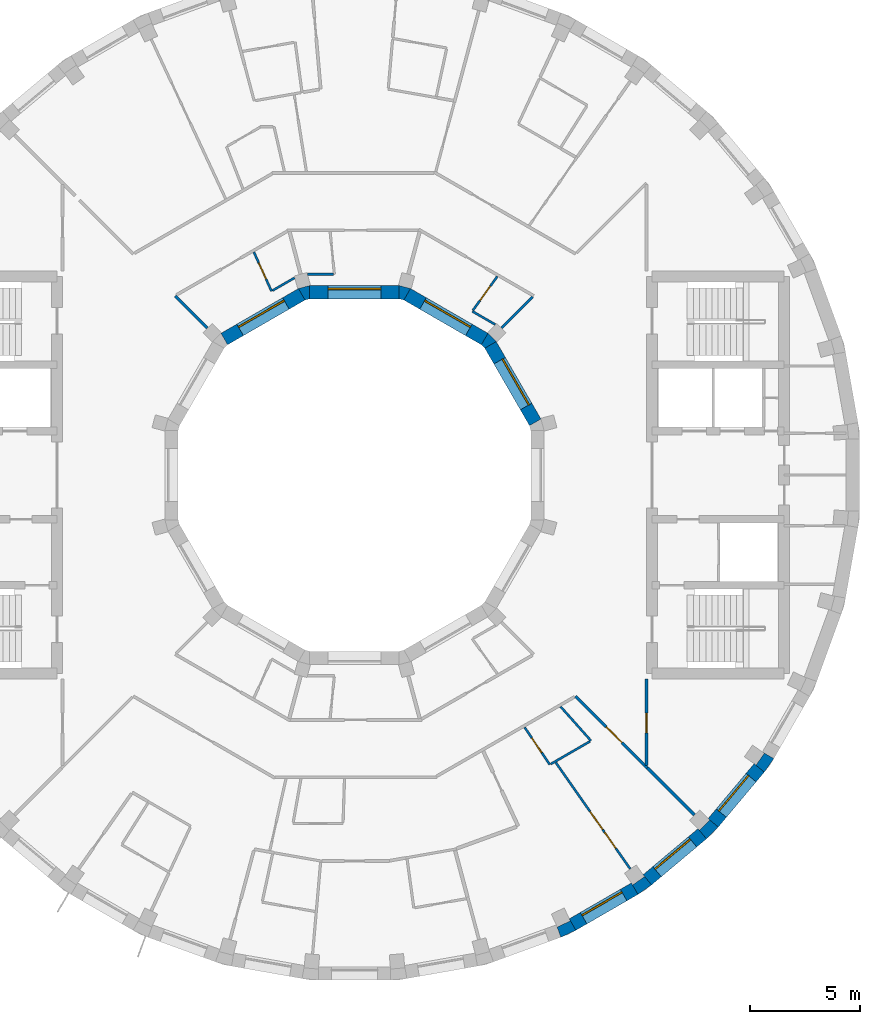
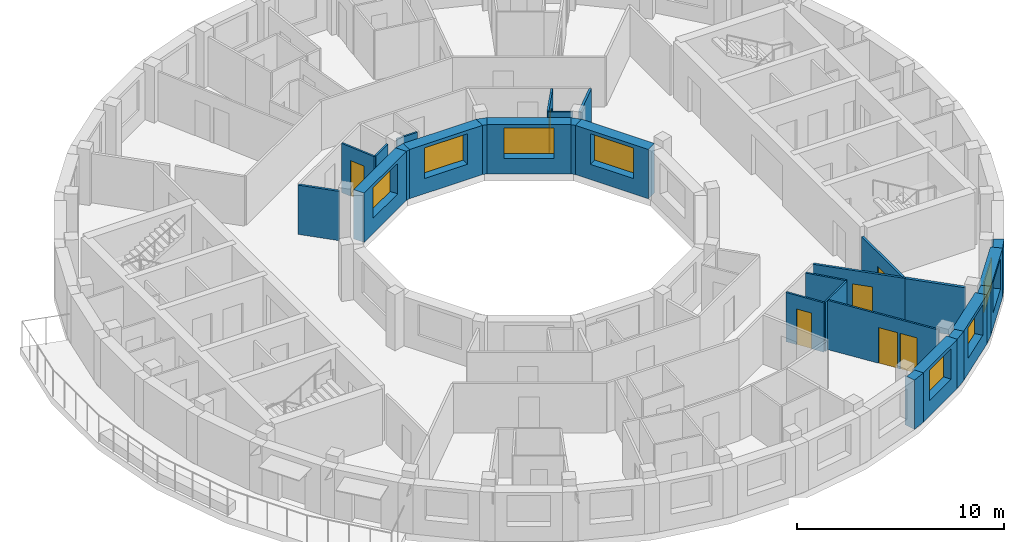
# One storey, part 5 of 10: 28 walls, 7 doors, 7 windows, 14 openings.
"""IFC4 building model written with IfcOpenShell, lengths in metres."""

from ifc_helpers import new_model, si_unit, direction, frame, frame_2d, origin, place, context, subcontext, project, spatial, polyline, rectangle, outline, extrude, material, layer, layer_set, type_object, element, fill, save


model = new_model("IFC4")

# Units and contexts
model_context = context("Model", 3, precision=1e-05, world=origin(), true_north=direction((0.0, 1.0)))
body_context = subcontext(model_context, "Body", "Model", "MODEL_VIEW")
ifc_project = project(units=[si_unit("LENGTHUNIT", "METRE"), si_unit("AREAUNIT", "SQUARE_METRE"), si_unit("VOLUMEUNIT", "CUBIC_METRE"), si_unit("PLANEANGLEUNIT", "RADIAN"), si_unit("MASSUNIT", "GRAM", prefix="KILO")], contexts=[model_context])

# Site, building, storey
site_placement = place(None, origin())
site = spatial("IfcSite", under=ifc_project, at=site_placement, CompositionType="ELEMENT")
building_placement = place(site_placement, origin())
building = spatial("IfcBuilding", under=site, at=building_placement, Name="Saqina Gate Tower", CompositionType="ELEMENT")
storey_placement = place(building_placement, frame((0.0, 0.0, 256.10009765625)))
storey = spatial("IfcBuildingStorey", under=building, at=storey_placement, Name="L73", CompositionType="ELEMENT", Elevation=256.10009765625)

# Walls
ifc_material_1 = material(Name="Brick masonry (buff)", Category="masonry")
wall_type_1 = type_object("IfcWallType", Name="BRICK PIER COPING BUFF", PredefinedType="SOLIDWALL", material=ifc_material_1)
wall_1_placement = place(storey_placement, origin())
element("IfcWall", 1, at=wall_1_placement, inside=storey, type_object=wall_type_1, Name="Pier cap L73 column 30", PredefinedType="SOLIDWALL", context=body_context, shape_type="SweptSolid", body=[
    extrude(outline(polyline([(9.3642578125, -20.974609375), (10.048095703125, -20.65576171875), (9.748291015625, -20.135986328125), (9.79296875, -20.23193359375), (9.203857421875, -20.506591796875), (9.1591796875, -20.410888671875), (9.3642578125, -20.974609375)])), origin(), (0.0, 0.0, 1.0), 2.89990234375),
])
wall_2_placement = place(storey_placement, origin())
element("IfcWall", 2, at=wall_2_placement, inside=storey, type_object=wall_type_1, Name="Pier cap L73 column 31", PredefinedType="SOLIDWALL", context=body_context, shape_type="SweptSolid", body=[
    extrude(outline(polyline([(12.8642578125, -19.02978515625), (13.482421875, -18.59716796875), (13.0966796875, -18.137451171875), (13.157470703125, -18.22412109375), (12.625, -18.596923828125), (12.564208984375, -18.51025390625), (12.8642578125, -19.02978515625)])), origin(), (0.0, 0.0, 1.0), 2.89990234375),
])
wall_3_placement = place(storey_placement, origin())
element("IfcWall", 3, at=wall_3_placement, inside=storey, type_object=wall_type_1, Name="Pier cap L73 column 32", PredefinedType="SOLIDWALL", context=body_context, shape_type="SweptSolid", body=[
    extrude(outline(polyline([(16.5068359375, -15.973388671875), (16.04736328125, -15.587646484375), (16.1220703125, -15.662353515625), (15.662353515625, -16.1220703125), (15.587646484375, -16.04736328125), (15.973388671875, -16.5068359375), (16.5068359375, -15.973388671875)])), origin(), (0.0, 0.0, 1.0), 2.89990234375),
])
wall_4_placement = place(storey_placement, origin())
element("IfcWall", 4, at=wall_4_placement, inside=storey, type_object=wall_type_1, Name="Pier cap L73 column 33", PredefinedType="SOLIDWALL", context=body_context, shape_type="SweptSolid", body=[
    extrude(outline(polyline([(19.02978515625, -12.8642578125), (18.51025390625, -12.564208984375), (18.596923828125, -12.625), (18.22412109375, -13.157470703125), (18.137451171875, -13.0966796875), (18.59716796875, -13.482421875), (19.02978515625, -12.8642578125)])), origin(), (0.0, 0.0, 1.0), 2.89990234375),
])

# Wall, opening, window
ifc_material_2 = material(Name="Brick masonry (buff)", Category="masonry")
ifc_layer_1 = layer(ifc_material_2, 0.60009765625)
ifc_layer_set_1 = layer_set([ifc_layer_1], Name="FW-BRICK-BUFF")
wall_type_2 = type_object("IfcWallType", Name="FW-BRICK-BUFF", PredefinedType="SOLIDWALL", material=ifc_layer_set_1)
wall_5_placement = place(storey_placement, frame((9.898193359375, -20.39599609375, 0.0), z_axis=(0.0, 0.0, 1.0), x_axis=(0.866016800201, 0.500014901547, 0.0)))
wall_5 = element("IfcWall", 5, at=wall_5_placement, inside=storey, type_object=wall_type_2, Name="Facade wall L73 facet 30", PredefinedType="SOLIDWALL", context=body_context, shape_type="SweptSolid", body=[
    extrude(rectangle(XDim=3.251953125, YDim=0.60009765625, at=frame_2d((1.6259765625, 0.0))), origin(), (0.0, 0.0, 1.0), 2.89990234375),
])
opening_1_placement = place(wall_5_placement, frame((0.57568359375, 0.0, 0.89990234375)))
opening_1 = element("IfcOpeningElement", 6, at=opening_1_placement, cuts=wall_5, Name="Opening G21-W21", PredefinedType="OPENING", context=body_context, shape_type="SweptSolid", body=[
    extrude(rectangle(XDim=2.10009765625, YDim=1.800048828125, at=frame_2d((1.050048828125, 0.89990234375))), frame((0.0, 0.31201171875, 0.0), z_axis=(0.0, -1.0, 0.0), x_axis=(1.0, 0.0, 0.0)), (0.0, 0.0, 1.0), 0.6240234375),
])
ifc_material_3 = material(Name="Aluminium glazing", Category="aluminium")
window_type_1 = type_object("IfcWindowType", Name="WN-D", PartitioningType="SINGLE_PANEL", PredefinedType="WINDOW", material=ifc_material_3)
window_1_placement = place(opening_1_placement, origin())
window_1 = element("IfcWindow", 7, at=window_1_placement, inside=storey, type_object=window_type_1, Name="Window L73 facet 30", OverallHeight=1.800048828125, OverallWidth=2.10009765625, PartitioningType="SINGLE_PANEL", PredefinedType="WINDOW", context=body_context, shape_type="SweptSolid", body=[
    extrude(rectangle(XDim=2.10009765625, YDim=1.800048828125, at=frame_2d((1.050048828125, 0.89990234375))), frame((0.0, 0.179931640625, 0.0), z_axis=(0.0, -1.0, 0.0), x_axis=(1.0, 0.0, 0.0)), (0.0, 0.0, 1.0), 0.06005859375),
])
fill(opening_1, window_1)

wall_6_placement = place(storey_placement, frame((13.28955078125, -18.3671875, 0.0), z_axis=(0.0, 0.0, 1.0), x_axis=(0.766056773982, 0.64277291405, 0.0)))
wall_6 = element("IfcWall", 8, at=wall_6_placement, inside=storey, type_object=wall_type_2, Name="Facade wall L73 facet 31", PredefinedType="SOLIDWALL", context=body_context, shape_type="SweptSolid", body=[
    extrude(rectangle(XDim=3.251708984375, YDim=0.60009765625, at=frame_2d((1.6259765625, 0.0))), origin(), (0.0, 0.0, 1.0), 2.89990234375),
])
opening_2_placement = place(wall_6_placement, frame((0.57568359375, 0.0, 0.89990234375)))
opening_2 = element("IfcOpeningElement", 9, at=opening_2_placement, cuts=wall_6, Name="Opening G21-W22", PredefinedType="OPENING", context=body_context, shape_type="SweptSolid", body=[
    extrude(rectangle(XDim=2.10009765625, YDim=1.800048828125, at=frame_2d((1.050048828125, 0.89990234375))), frame((0.0, 0.31201171875, 0.0), z_axis=(0.0, -1.0, 0.0), x_axis=(1.0, 0.0, 0.0)), (0.0, 0.0, 1.0), 0.6240234375),
])
window_2_placement = place(opening_2_placement, origin())
window_2 = element("IfcWindow", 10, at=window_2_placement, inside=storey, type_object=window_type_1, Name="Window L73 facet 31", OverallHeight=1.800048828125, OverallWidth=2.10009765625, PartitioningType="SINGLE_PANEL", PredefinedType="WINDOW", context=body_context, shape_type="SweptSolid", body=[
    extrude(rectangle(XDim=2.10009765625, YDim=1.800048828125, at=frame_2d((1.050048828125, 0.89990234375))), frame((0.0, 0.179931640625, 0.0), z_axis=(0.0, -1.0, 0.0), x_axis=(1.0, 0.0, 0.0)), (0.0, 0.0, 1.0), 0.06005859375),
])
fill(opening_2, window_2)

wall_7_placement = place(storey_placement, frame((16.277099609375, -15.780517578125, 0.0), z_axis=(0.0, 0.0, 1.0), x_axis=(0.64277291405, 0.766056773982, 0.0)))
wall_7 = element("IfcWall", 11, at=wall_7_placement, inside=storey, type_object=wall_type_2, Name="Facade wall L73 facet 32", PredefinedType="SOLIDWALL", context=body_context, shape_type="SweptSolid", body=[
    extrude(rectangle(XDim=3.251708984375, YDim=0.60009765625, at=frame_2d((1.6259765625, 0.0))), origin(), (0.0, 0.0, 1.0), 2.89990234375),
])
opening_3_placement = place(wall_7_placement, frame((0.57568359375, 0.0, 0.89990234375)))
opening_3 = element("IfcOpeningElement", 12, at=opening_3_placement, cuts=wall_7, Name="Opening G21-W23", PredefinedType="OPENING", context=body_context, shape_type="SweptSolid", body=[
    extrude(rectangle(XDim=2.10009765625, YDim=1.800048828125, at=frame_2d((1.050048828125, 0.89990234375))), frame((0.0, 0.31201171875, 0.0), z_axis=(0.0, -1.0, 0.0), x_axis=(1.0, 0.0, 0.0)), (0.0, 0.0, 1.0), 0.6240234375),
])
window_3_placement = place(opening_3_placement, origin())
window_3 = element("IfcWindow", 13, at=window_3_placement, inside=storey, type_object=window_type_1, Name="Window L73 facet 32", OverallHeight=1.800048828125, OverallWidth=2.10009765625, PartitioningType="SINGLE_PANEL", PredefinedType="WINDOW", context=body_context, shape_type="SweptSolid", body=[
    extrude(rectangle(XDim=2.10009765625, YDim=1.800048828125, at=frame_2d((1.050048828125, 0.89990234375))), frame((0.0, 0.179931640625, 0.0), z_axis=(0.0, -1.0, 0.0), x_axis=(1.0, 0.0, 0.0)), (0.0, 0.0, 1.0), 0.06005859375),
])
fill(opening_3, window_3)

ifc_material_4 = material(Name="Glazed ceramic tile", Category="ceramic")
ifc_layer_2 = layer(ifc_material_4, 0.60009765625)
ifc_layer_set_2 = layer_set([ifc_layer_2], Name="IW-TILE")
wall_type_3 = type_object("IfcWallType", Name="IW-TILE", PredefinedType="SOLIDWALL", material=ifc_layer_set_2)
wall_8_placement = place(storey_placement, frame((8.20263671875, 2.392578125, 0.0), z_axis=(0.0, 0.0, 1.0), x_axis=(-0.499994954979, 0.866028316509, 0.0)))
wall_8 = element("IfcWall", 14, at=wall_8_placement, inside=storey, type_object=wall_type_3, Name="Well wall L73 facet 1", PredefinedType="SOLIDWALL", context=body_context, shape_type="SweptSolid", body=[
    extrude(rectangle(XDim=4.05859375, YDim=0.60009765625, at=frame_2d((2.029296875, 0.0))), origin(), (0.0, 0.0, 1.0), 2.89990234375),
])
opening_4_placement = place(wall_8_placement, frame((0.829345703125, 0.0, 0.89990234375)))
opening_4 = element("IfcOpeningElement", 15, at=opening_4_placement, cuts=wall_8, Name="Opening G21-W25", PredefinedType="OPENING", context=body_context, shape_type="SweptSolid", body=[
    extrude(rectangle(XDim=2.39990234375, YDim=1.800048828125, at=frame_2d((1.199951171875, 0.89990234375))), frame((0.0, 0.31201171875, 0.0), z_axis=(0.0, -1.0, 0.0), x_axis=(1.0, 0.0, 0.0)), (0.0, 0.0, 1.0), 0.6240234375),
])
ifc_material_5 = material(Name="Aluminium glazing", Category="aluminium")
window_type_2 = type_object("IfcWindowType", Name="WN-W", PartitioningType="SINGLE_PANEL", PredefinedType="WINDOW", material=ifc_material_5)
window_4_placement = place(opening_4_placement, origin())
window_4 = element("IfcWindow", 16, at=window_4_placement, inside=storey, type_object=window_type_2, Name="Well window L73 facet 1", OverallHeight=1.800048828125, OverallWidth=2.39990234375, PartitioningType="SINGLE_PANEL", PredefinedType="WINDOW", context=body_context, shape_type="SweptSolid", body=[
    extrude(rectangle(XDim=2.39990234375, YDim=1.800048828125, at=frame_2d((1.199951171875, 0.89990234375))), frame((0.0, -0.119873046875, 0.0), z_axis=(0.0, -1.0, 0.0), x_axis=(1.0, 0.0, 0.0)), (0.0, 0.0, 1.0), 0.06005859375),
])
fill(opening_4, window_4)

wall_9_placement = place(storey_placement, frame((5.907470703125, 6.17333984375, 0.0), z_axis=(0.0, 0.0, 1.0), x_axis=(-0.866028316509, 0.499994954979, 0.0)))
wall_9 = element("IfcWall", 17, at=wall_9_placement, inside=storey, type_object=wall_type_3, Name="Well wall L73 facet 2", PredefinedType="SOLIDWALL", context=body_context, shape_type="SweptSolid", body=[
    extrude(rectangle(XDim=4.05859375, YDim=0.60009765625, at=frame_2d((2.029296875, 0.0))), origin(), (0.0, 0.0, 1.0), 2.89990234375),
])
opening_5_placement = place(wall_9_placement, frame((0.829345703125, 0.0, 0.89990234375)))
opening_5 = element("IfcOpeningElement", 18, at=opening_5_placement, cuts=wall_9, Name="Opening G21-W26", PredefinedType="OPENING", context=body_context, shape_type="SweptSolid", body=[
    extrude(rectangle(XDim=2.39990234375, YDim=1.800048828125, at=frame_2d((1.199951171875, 0.89990234375))), frame((0.0, 0.31201171875, 0.0), z_axis=(0.0, -1.0, 0.0), x_axis=(1.0, 0.0, 0.0)), (0.0, 0.0, 1.0), 0.6240234375),
])
window_5_placement = place(opening_5_placement, origin())
window_5 = element("IfcWindow", 19, at=window_5_placement, inside=storey, type_object=window_type_2, Name="Well window L73 facet 2", OverallHeight=1.800048828125, OverallWidth=2.39990234375, PartitioningType="SINGLE_PANEL", PredefinedType="WINDOW", context=body_context, shape_type="SweptSolid", body=[
    extrude(rectangle(XDim=2.39990234375, YDim=1.800048828125, at=frame_2d((1.199951171875, 0.89990234375))), frame((0.0, -0.119873046875, 0.0), z_axis=(0.0, -1.0, 0.0), x_axis=(1.0, 0.0, 0.0)), (0.0, 0.0, 1.0), 0.06005859375),
])
fill(opening_5, window_5)

wall_10_placement = place(storey_placement, frame((2.029296875, 8.300048828125, 0.0), z_axis=(0.0, 0.0, 1.0), x_axis=(-1.0, 0.0, 0.0)))
wall_10 = element("IfcWall", 20, at=wall_10_placement, inside=storey, type_object=wall_type_3, Name="Well wall L73 facet 3", PredefinedType="SOLIDWALL", context=body_context, shape_type="SweptSolid", body=[
    extrude(rectangle(XDim=4.05859375, YDim=0.60009765625, at=frame_2d((2.029296875, 0.0))), origin(), (0.0, 0.0, 1.0), 2.89990234375),
])
opening_6_placement = place(wall_10_placement, frame((0.829345703125, 0.0, 0.89990234375)))
opening_6 = element("IfcOpeningElement", 21, at=opening_6_placement, cuts=wall_10, Name="Opening G21-W27", PredefinedType="OPENING", context=body_context, shape_type="SweptSolid", body=[
    extrude(rectangle(XDim=2.39990234375, YDim=1.800048828125, at=frame_2d((1.199951171875, 0.89990234375))), frame((0.0, 0.31201171875, 0.0), z_axis=(0.0, -1.0, 0.0), x_axis=(1.0, 0.0, 0.0)), (0.0, 0.0, 1.0), 0.6240234375),
])
window_6_placement = place(opening_6_placement, origin())
window_6 = element("IfcWindow", 22, at=window_6_placement, inside=storey, type_object=window_type_2, Name="Well window L73 facet 3", OverallHeight=1.800048828125, OverallWidth=2.39990234375, PartitioningType="SINGLE_PANEL", PredefinedType="WINDOW", context=body_context, shape_type="SweptSolid", body=[
    extrude(rectangle(XDim=2.39990234375, YDim=1.800048828125, at=frame_2d((1.199951171875, 0.89990234375))), frame((0.0, -0.119873046875, 0.0), z_axis=(0.0, -1.0, 0.0), x_axis=(1.0, 0.0, 0.0)), (0.0, 0.0, 1.0), 0.06005859375),
])
fill(opening_6, window_6)

wall_11_placement = place(storey_placement, frame((-2.392578125, 8.20263671875, 0.0), z_axis=(0.0, 0.0, 1.0), x_axis=(-0.866028316509, -0.499994954979, 0.0)))
wall_11 = element("IfcWall", 23, at=wall_11_placement, inside=storey, type_object=wall_type_3, Name="Well wall L73 facet 4", PredefinedType="SOLIDWALL", context=body_context, shape_type="SweptSolid", body=[
    extrude(rectangle(XDim=4.05859375, YDim=0.60009765625, at=frame_2d((2.029296875, 0.0))), origin(), (0.0, 0.0, 1.0), 2.89990234375),
])
opening_7_placement = place(wall_11_placement, frame((0.829345703125, 0.0, 0.89990234375)))
opening_7 = element("IfcOpeningElement", 24, at=opening_7_placement, cuts=wall_11, Name="Opening G21-W28", PredefinedType="OPENING", context=body_context, shape_type="SweptSolid", body=[
    extrude(rectangle(XDim=2.39990234375, YDim=1.800048828125, at=frame_2d((1.199951171875, 0.89990234375))), frame((0.0, 0.31201171875, 0.0), z_axis=(0.0, -1.0, 0.0), x_axis=(1.0, 0.0, 0.0)), (0.0, 0.0, 1.0), 0.6240234375),
])
window_7_placement = place(opening_7_placement, origin())
window_7 = element("IfcWindow", 25, at=window_7_placement, inside=storey, type_object=window_type_2, Name="Well window L73 facet 4", OverallHeight=1.800048828125, OverallWidth=2.39990234375, PartitioningType="SINGLE_PANEL", PredefinedType="WINDOW", context=body_context, shape_type="SweptSolid", body=[
    extrude(rectangle(XDim=2.39990234375, YDim=1.800048828125, at=frame_2d((1.199951171875, 0.89990234375))), frame((0.0, -0.119873046875, 0.0), z_axis=(0.0, -1.0, 0.0), x_axis=(1.0, 0.0, 0.0)), (0.0, 0.0, 1.0), 0.06005859375),
])
fill(opening_7, window_7)

# Wall, opening, door
ifc_material_6 = material(Name="Gypsum board on steel studs, 100 mm", Category="steel")
ifc_layer_3 = layer(ifc_material_6, 0.10009765625)
ifc_layer_set_3 = layer_set([ifc_layer_3], Name="PARTITION 100")
wall_type_4 = type_object("IfcWallType", Name="PARTITION 100", PredefinedType="PARTITIONING", material=ifc_layer_set_3)
wall_12_placement = place(storey_placement, frame((-4.566162109375, 10.12060546875, 0.0), z_axis=(0.0, 0.0, 1.0), x_axis=(0.411506094415, -0.911407008015, 0.0)))
wall_12 = element("IfcWall", 26, at=wall_12_placement, inside=storey, type_object=wall_type_4, Name="PARTITION PW3-08", PredefinedType="PARTITIONING", context=body_context, shape_type="SweptSolid", body=[
    extrude(rectangle(XDim=1.947265625, YDim=0.10009765625, at=frame_2d((0.9736328125, 0.0))), origin(), (0.0, 0.0, 1.0), 2.89990234375),
])
opening_8_placement = place(wall_12_placement, frame((0.5419921875, 0.0, 0.0)))
opening_8 = element("IfcOpeningElement", 27, at=opening_8_placement, cuts=wall_12, Name="Opening G21-D18", PredefinedType="OPENING", context=body_context, shape_type="SweptSolid", body=[
    extrude(rectangle(XDim=0.800048828125, YDim=2.10009765625, at=frame_2d((0.39990234375, 1.050048828125))), frame((0.0, 0.06201171875, 0.0), z_axis=(0.0, -1.0, 0.0), x_axis=(1.0, 0.0, 0.0)), (0.0, 0.0, 1.0), 0.1240234375),
])
ifc_material_7 = material(Name="Timber door leaf, 800 mm", Category="wood")
door_type_1 = type_object("IfcDoorType", Name="DOOR 800 TIMBER", OperationType="SINGLE_SWING_LEFT", PredefinedType="DOOR", material=ifc_material_7)
door_1_placement = place(opening_8_placement, frame((0.800048828125, 0.0, 0.0), z_axis=(0.0, 0.0, 1.0), x_axis=(-1.0, 0.0, 0.0)))
door_1 = element("IfcDoor", 28, at=door_1_placement, inside=storey, type_object=door_type_1, Name="DOOR G21-D18", OperationType="SINGLE_SWING_RIGHT", OverallHeight=2.10009765625, OverallWidth=0.800048828125, PredefinedType="DOOR", context=body_context, shape_type="SweptSolid", body=[
    extrude(rectangle(XDim=0.800048828125, YDim=2.10009765625, at=frame_2d((0.39990234375, 1.050048828125))), frame((0.0, 0.02490234375, 0.0), z_axis=(0.0, -1.0, 0.0), x_axis=(1.0, 0.0, 0.0)), (0.0, 0.0, 1.0), 0.050048828125),
])
fill(opening_8, door_1)

wall_13_placement = place(storey_placement, frame((7.72119140625, -11.44775390625, 0.0), z_axis=(0.0, 0.0, 1.0), x_axis=(0.559248794195, -0.828999871044, 0.0)))
wall_13 = element("IfcWall", 29, at=wall_13_placement, inside=storey, type_object=wall_type_4, Name="PARTITION PW3-10", PredefinedType="PARTITIONING", context=body_context, shape_type="SweptSolid", body=[
    extrude(rectangle(XDim=2.0400390625, YDim=0.10009765625, at=frame_2d((1.02001953125, 0.0))), origin(), (0.0, 0.0, 1.0), 2.89990234375),
])
opening_9_placement = place(wall_13_placement, frame((0.587158203125, 0.0, 0.0)))
opening_9 = element("IfcOpeningElement", 30, at=opening_9_placement, cuts=wall_13, Name="Opening G21-D39", PredefinedType="OPENING", context=body_context, shape_type="SweptSolid", body=[
    extrude(rectangle(XDim=0.800048828125, YDim=2.10009765625, at=frame_2d((0.39990234375, 1.050048828125))), frame((0.0, 0.06201171875, 0.0), z_axis=(0.0, -1.0, 0.0), x_axis=(1.0, 0.0, 0.0)), (0.0, 0.0, 1.0), 0.1240234375),
])
door_2_placement = place(opening_9_placement, frame((0.800048828125, 0.0, 0.0), z_axis=(0.0, 0.0, 1.0), x_axis=(-1.0, 0.0, 0.0)))
door_2 = element("IfcDoor", 31, at=door_2_placement, inside=storey, type_object=door_type_1, Name="DOOR G21-D39", OperationType="SINGLE_SWING_RIGHT", OverallHeight=2.10009765625, OverallWidth=0.800048828125, PredefinedType="DOOR", context=body_context, shape_type="SweptSolid", body=[
    extrude(rectangle(XDim=0.800048828125, YDim=2.10009765625, at=frame_2d((0.39990234375, 1.050048828125))), frame((0.0, 0.02490234375, 0.0), z_axis=(0.0, -1.0, 0.0), x_axis=(1.0, 0.0, 0.0)), (0.0, 0.0, 1.0), 0.050048828125),
])
fill(opening_9, door_2)

# Wall, openings, doors
wall_14_placement = place(storey_placement, frame((9.131591796875, -13.041015625, 0.0), z_axis=(0.0, 0.0, 1.0), x_axis=(0.573490140142, -0.819212462772, 0.0)))
wall_14 = element("IfcWall", 32, at=wall_14_placement, inside=storey, type_object=wall_type_4, Name="PARTITION PW3-11", PredefinedType="PARTITIONING", context=body_context, shape_type="SweptSolid", body=[
    extrude(rectangle(XDim=5.894775390625, YDim=0.10009765625, at=frame_2d((2.947265625, 0.0))), origin(), (0.0, 0.0, 1.0), 2.89990234375),
])
opening_10_placement = place(wall_14_placement, frame((2.71337890625, 0.0, 0.0)))
opening_10 = element("IfcOpeningElement", 33, at=opening_10_placement, cuts=wall_14, Name="Opening G21-D40", PredefinedType="OPENING", context=body_context, shape_type="SweptSolid", body=[
    extrude(rectangle(XDim=1.0, YDim=2.10009765625, at=frame_2d((0.5, 1.050048828125))), frame((0.0, 0.06201171875, 0.0), z_axis=(0.0, -1.0, 0.0), x_axis=(1.0, 0.0, 0.0)), (0.0, 0.0, 1.0), 0.1240234375),
])
opening_11_placement = place(wall_14_placement, frame((3.863525390625, 0.0, 0.0)))
opening_11 = element("IfcOpeningElement", 34, at=opening_11_placement, cuts=wall_14, Name="Opening G21-D41", PredefinedType="OPENING", context=body_context, shape_type="SweptSolid", body=[
    extrude(rectangle(XDim=0.89990234375, YDim=2.10009765625, at=frame_2d((0.449951171875, 1.050048828125))), frame((0.0, 0.06201171875, 0.0), z_axis=(0.0, -1.0, 0.0), x_axis=(1.0, 0.0, 0.0)), (0.0, 0.0, 1.0), 0.1240234375),
])
ifc_material_8 = material(Name="Timber door leaf, 1000 mm", Category="wood")
door_type_2 = type_object("IfcDoorType", Name="DOOR 1000 TIMBER", OperationType="SINGLE_SWING_LEFT", PredefinedType="DOOR", material=ifc_material_8)
door_3_placement = place(opening_10_placement, frame((1.0, 0.0, 0.0), z_axis=(0.0, 0.0, 1.0), x_axis=(-1.0, 0.0, 0.0)))
door_3 = element("IfcDoor", 35, at=door_3_placement, inside=storey, type_object=door_type_2, Name="DOOR G21-D40", OperationType="SINGLE_SWING_LEFT", OverallHeight=2.10009765625, OverallWidth=1.0, PredefinedType="DOOR", context=body_context, shape_type="SweptSolid", body=[
    extrude(rectangle(XDim=1.0, YDim=2.10009765625, at=frame_2d((0.5, 1.050048828125))), frame((0.0, 0.02490234375, 0.0), z_axis=(0.0, -1.0, 0.0), x_axis=(1.0, 0.0, 0.0)), (0.0, 0.0, 1.0), 0.050048828125),
])
fill(opening_10, door_3)
ifc_material_9 = material(Name="Timber door leaf, 900 mm", Category="wood")
door_type_3 = type_object("IfcDoorType", Name="DOOR 900 TIMBER", OperationType="SINGLE_SWING_LEFT", PredefinedType="DOOR", material=ifc_material_9)
door_4_placement = place(opening_11_placement, frame((0.89990234375, 0.0, 0.0), z_axis=(0.0, 0.0, 1.0), x_axis=(-1.0, 0.0, 0.0)))
door_4 = element("IfcDoor", 36, at=door_4_placement, inside=storey, type_object=door_type_3, Name="DOOR G21-D41", OperationType="SINGLE_SWING_LEFT", OverallHeight=2.10009765625, OverallWidth=0.89990234375, PredefinedType="DOOR", context=body_context, shape_type="SweptSolid", body=[
    extrude(rectangle(XDim=0.89990234375, YDim=2.10009765625, at=frame_2d((0.449951171875, 1.050048828125))), frame((0.0, 0.02490234375, 0.0), z_axis=(0.0, -1.0, 0.0), x_axis=(1.0, 0.0, 0.0)), (0.0, 0.0, 1.0), 0.050048828125),
])
fill(opening_11, door_4)

# Walls
wall_15_placement = place(storey_placement, frame((9.349609375, -10.503173828125, 0.0), z_axis=(0.0, 0.0, 1.0), x_axis=(0.664939395891, -0.746897315427, 0.0)))
element("IfcWall", 37, at=wall_15_placement, inside=storey, type_object=wall_type_4, Name="PARTITION PW3-13", PredefinedType="PARTITIONING", context=body_context, shape_type="SweptSolid", body=[
    extrude(rectangle(XDim=2.079345703125, YDim=0.10009765625, at=frame_2d((1.03955078125, 0.0))), origin(), (0.0, 0.0, 1.0), 2.89990234375),
])
wall_16_placement = place(storey_placement, frame((5.344970703125, 7.43310546875, 0.0), z_axis=(0.0, 0.0, 1.0), x_axis=(0.866108180176, -0.499856599668, 0.0)))
element("IfcWall", 38, at=wall_16_placement, inside=storey, type_object=wall_type_4, Name="PARTITION PW3-17", PredefinedType="PARTITIONING", context=body_context, shape_type="SweptSolid", body=[
    extrude(rectangle(XDim=1.207763671875, YDim=0.10009765625, at=frame_2d((0.60400390625, 0.0))), origin(), (0.0, 0.0, 1.0), 2.89990234375),
])
wall_17_placement = place(storey_placement, frame((-2.1201171875, 9.110107421875, 0.0), z_axis=(0.0, 0.0, 1.0), x_axis=(1.0, 0.0, 0.0)))
element("IfcWall", 39, at=wall_17_placement, inside=storey, type_object=wall_type_4, Name="PARTITION PW3-26", PredefinedType="PARTITIONING", context=body_context, shape_type="SweptSolid", body=[
    extrude(rectangle(XDim=1.158203125, YDim=0.10009765625, at=frame_2d((0.5791015625, 0.0))), origin(), (0.0, 0.0, 1.0), 2.89990234375),
])
wall_18_placement = place(storey_placement, frame((8.906982421875, -13.113037109375, 0.0), z_axis=(0.0, 0.0, 1.0), x_axis=(0.865983906191, 0.500071869053, 0.0)))
element("IfcWall", 40, at=wall_18_placement, inside=storey, type_object=wall_type_4, Name="PARTITION PW3-32", PredefinedType="PARTITIONING", context=body_context, shape_type="SweptSolid", body=[
    extrude(rectangle(XDim=2.056396484375, YDim=0.10009765625, at=frame_2d((1.0283203125, 0.0))), origin(), (0.0, 0.0, 1.0), 2.89990234375),
])
wall_19_placement = place(storey_placement, frame((-3.7216796875, 8.37109375, 0.0), z_axis=(0.0, 0.0, 1.0), x_axis=(0.866132916787, 0.499813735764, 0.0)))
element("IfcWall", 41, at=wall_19_placement, inside=storey, type_object=wall_type_4, Name="PARTITION PW3-34", PredefinedType="PARTITIONING", context=body_context, shape_type="SweptSolid", body=[
    extrude(rectangle(XDim=1.15771484375, YDim=0.10009765625, at=frame_2d((0.578857421875, 0.0))), origin(), (0.0, 0.0, 1.0), 2.89990234375),
])

# Wall, opening, door
wall_20_placement = place(storey_placement, frame((5.374267578125, 7.4736328125, 0.0), z_axis=(0.0, 0.0, 1.0), x_axis=(0.583609530889, 0.812034429969, 0.0)))
wall_20 = element("IfcWall", 42, at=wall_20_placement, inside=storey, type_object=wall_type_4, Name="PARTITION PW3-36", PredefinedType="PARTITIONING", context=body_context, shape_type="SweptSolid", body=[
    extrude(rectangle(XDim=1.897216796875, YDim=0.10009765625, at=frame_2d((0.94873046875, 0.0))), origin(), (0.0, 0.0, 1.0), 2.89990234375),
])
opening_12_placement = place(wall_20_placement, frame((0.554931640625, 0.0, 0.0)))
opening_12 = element("IfcOpeningElement", 43, at=opening_12_placement, cuts=wall_20, Name="Opening G21-D01", PredefinedType="OPENING", context=body_context, shape_type="SweptSolid", body=[
    extrude(rectangle(XDim=0.800048828125, YDim=2.10009765625, at=frame_2d((0.39990234375, 1.050048828125))), frame((0.0, 0.06201171875, 0.0), z_axis=(0.0, -1.0, 0.0), x_axis=(1.0, 0.0, 0.0)), (0.0, 0.0, 1.0), 0.1240234375),
])
door_5_placement = place(opening_12_placement, origin())
door_5 = element("IfcDoor", 44, at=door_5_placement, inside=storey, type_object=door_type_1, Name="DOOR G21-D01", OperationType="SINGLE_SWING_RIGHT", OverallHeight=2.10009765625, OverallWidth=0.800048828125, PredefinedType="DOOR", context=body_context, shape_type="SweptSolid", body=[
    extrude(rectangle(XDim=0.800048828125, YDim=2.10009765625, at=frame_2d((0.39990234375, 1.050048828125))), frame((0.0, 0.02490234375, 0.0), z_axis=(0.0, -1.0, 0.0), x_axis=(1.0, 0.0, 0.0)), (0.0, 0.0, 1.0), 0.050048828125),
])
fill(opening_12, door_5)

# Wall
ifc_material_10 = material(Name="Gypsum board on steel studs, 125 mm, fire rated", Category="steel")
ifc_layer_4 = layer(ifc_material_10, 0.125)
ifc_layer_set_4 = layer_set([ifc_layer_4], Name="PARTITION EI 30 125")
wall_type_5 = type_object("IfcWallType", Name="PARTITION EI 30 125", PredefinedType="PARTITIONING", material=ifc_layer_set_4)
wall_21_placement = place(storey_placement, frame((-8.133056640625, 8.133056640625, 0.0), z_axis=(0.0, 0.0, 1.0), x_axis=(0.707106781187, -0.707106781187, 0.0)))
element("IfcWall", 45, at=wall_21_placement, inside=storey, type_object=wall_type_5, Name="PARTITION PW1-05", PredefinedType="PARTITIONING", context=body_context, shape_type="SweptSolid", body=[
    extrude(rectangle(XDim=2.0595703125, YDim=0.125, at=frame_2d((1.02978515625, 0.0))), origin(), (0.0, 0.0, 1.0), 2.89990234375),
])

# Wall, opening, door
wall_22_placement = place(storey_placement, frame((10.035888671875, -10.035888671875, 0.0), z_axis=(0.0, 0.0, 1.0), x_axis=(0.707106781187, -0.707106781187, 0.0)))
wall_22 = element("IfcWall", 46, at=wall_22_placement, inside=storey, type_object=wall_type_5, Name="PARTITION PW1-07", PredefinedType="PARTITIONING", context=body_context, shape_type="SweptSolid", body=[
    extrude(rectangle(XDim=4.60791015625, YDim=0.125, at=frame_2d((2.303955078125, 0.0))), origin(), (0.0, 0.0, 1.0), 2.89990234375),
])
opening_13_placement = place(wall_22_placement, frame((1.97265625, 0.0, 0.0)))
opening_13 = element("IfcOpeningElement", 47, at=opening_13_placement, cuts=wall_22, Name="Opening G21-D43", PredefinedType="OPENING", context=body_context, shape_type="SweptSolid", body=[
    extrude(rectangle(XDim=1.0, YDim=2.10009765625, at=frame_2d((0.5, 1.050048828125))), frame((0.0, 0.074462890625, 0.0), z_axis=(0.0, -1.0, 0.0), x_axis=(1.0, 0.0, 0.0)), (0.0, 0.0, 1.0), 0.14892578125),
])
ifc_material_11 = material(Name="Fire door leaf EI 30, 1000 mm")
door_type_4 = type_object("IfcDoorType", Name="DOOR 1000 EI 30", OperationType="SINGLE_SWING_LEFT", PredefinedType="DOOR", material=ifc_material_11)
door_6_placement = place(opening_13_placement, frame((1.0, 0.0, 0.0), z_axis=(0.0, 0.0, 1.0), x_axis=(-1.0, 0.0, 0.0)))
door_6 = element("IfcDoor", 48, at=door_6_placement, inside=storey, type_object=door_type_4, Name="DOOR G21-D43", OperationType="SINGLE_SWING_RIGHT", OverallHeight=2.10009765625, OverallWidth=1.0, PredefinedType="DOOR", context=body_context, shape_type="SweptSolid", body=[
    extrude(rectangle(XDim=1.0, YDim=2.10009765625, at=frame_2d((0.5, 1.050048828125))), frame((0.0, 0.02490234375, 0.0), z_axis=(0.0, -1.0, 0.0), x_axis=(1.0, 0.0, 0.0)), (0.0, 0.0, 1.0), 0.050048828125),
])
fill(opening_13, door_6)

# Wall
wall_23_placement = place(storey_placement, frame((6.6767578125, 6.6767578125, 0.0), z_axis=(0.0, 0.0, 1.0), x_axis=(0.707106781187, 0.707106781187, 0.0)))
element("IfcWall", 49, at=wall_23_placement, inside=storey, type_object=wall_type_5, Name="PARTITION PW1-29", PredefinedType="PARTITIONING", context=body_context, shape_type="SweptSolid", body=[
    extrude(rectangle(XDim=1.9970703125, YDim=0.125, at=frame_2d((0.99853515625, 0.0))), origin(), (0.0, 0.0, 1.0), 2.89990234375),
])

# Wall, opening, door
wall_24_placement = place(storey_placement, frame((13.25, -13.175048828125, 0.0), z_axis=(0.0, 0.0, 1.0), x_axis=(0.0, 1.0, 0.0)))
wall_24 = element("IfcWall", 50, at=wall_24_placement, inside=storey, type_object=wall_type_5, Name="PARTITION PW1-38", PredefinedType="PARTITIONING", context=body_context, shape_type="SweptSolid", body=[
    extrude(rectangle(XDim=3.925048828125, YDim=0.125, at=frame_2d((1.96240234375, 0.0))), origin(), (0.0, 0.0, 1.0), 2.89990234375),
])
opening_14_placement = place(wall_24_placement, frame((1.47509765625, 0.0, 0.0)))
opening_14 = element("IfcOpeningElement", 51, at=opening_14_placement, cuts=wall_24, Name="Opening G21-D44", PredefinedType="OPENING", context=body_context, shape_type="SweptSolid", body=[
    extrude(rectangle(XDim=0.89990234375, YDim=2.10009765625, at=frame_2d((0.449951171875, 1.050048828125))), frame((0.0, 0.074462890625, 0.0), z_axis=(0.0, -1.0, 0.0), x_axis=(1.0, 0.0, 0.0)), (0.0, 0.0, 1.0), 0.14892578125),
])
ifc_material_12 = material(Name="Fire door leaf EI 30, 900 mm")
door_type_5 = type_object("IfcDoorType", Name="DOOR 900 EI 30", OperationType="SINGLE_SWING_LEFT", PredefinedType="DOOR", material=ifc_material_12)
door_7_placement = place(opening_14_placement, frame((0.89990234375, 0.0, 0.0), z_axis=(0.0, 0.0, 1.0), x_axis=(-1.0, 0.0, 0.0)))
door_7 = element("IfcDoor", 52, at=door_7_placement, inside=storey, type_object=door_type_5, Name="DOOR G21-D44", OperationType="SINGLE_SWING_RIGHT", OverallHeight=2.10009765625, OverallWidth=0.89990234375, PredefinedType="DOOR", context=body_context, shape_type="SweptSolid", body=[
    extrude(rectangle(XDim=0.89990234375, YDim=2.10009765625, at=frame_2d((0.449951171875, 1.050048828125))), frame((0.0, 0.02490234375, 0.0), z_axis=(0.0, -1.0, 0.0), x_axis=(1.0, 0.0, 0.0)), (0.0, 0.0, 1.0), 0.050048828125),
])
fill(opening_14, door_7)

# Walls
ifc_material_13 = material(Name="Gypsum board on steel studs, 150 mm, fire rated", Category="steel")
ifc_layer_5 = layer(ifc_material_13, 0.14990234375)
ifc_layer_set_5 = layer_set([ifc_layer_5], Name="PARTITION EI 60 150")
wall_type_6 = type_object("IfcWallType", Name="PARTITION EI 60 150", PredefinedType="PARTITIONING", material=ifc_layer_set_5)
wall_25_placement = place(storey_placement, frame((13.294189453125, -13.294189453125, 0.0), z_axis=(0.0, 0.0, 1.0), x_axis=(0.707025779208, -0.707187773887, 0.0)))
element("IfcWall", 53, at=wall_25_placement, inside=storey, type_object=wall_type_6, Name="PARTITION PW2-06", PredefinedType="PARTITIONING", context=body_context, shape_type="SweptSolid", body=[
    extrude(rectangle(XDim=3.01416015625, YDim=0.14990234375, at=frame_2d((1.507080078125, 0.0))), origin(), (0.0, 0.0, 1.0), 2.89990234375),
])
ifc_material_14 = material(Name="Glazed ceramic tile", Category="ceramic")
wall_type_7 = type_object("IfcWallType", Name="TILE PIER COPING", PredefinedType="SOLIDWALL", material=ifc_material_14)
wall_26_placement = place(storey_placement, origin())
element("IfcWall", 54, at=wall_26_placement, inside=storey, type_object=wall_type_7, Name="Well pier cap L73 column 2", PredefinedType="SOLIDWALL", context=body_context, shape_type="SweptSolid", body=[
    extrude(outline(polyline([(6.0576171875, 6.43310546875), (5.757568359375, 5.91357421875), (5.91357421875, 5.757568359375), (6.43310546875, 6.0576171875), (6.0576171875, 6.43310546875)])), origin(), (0.0, 0.0, 1.0), 2.89990234375),
])
wall_27_placement = place(storey_placement, origin())
element("IfcWall", 55, at=wall_27_placement, inside=storey, type_object=wall_type_7, Name="Well pier cap L73 column 3", PredefinedType="SOLIDWALL", context=body_context, shape_type="SweptSolid", body=[
    extrude(outline(polyline([(2.029296875, 8.60009765625), (2.029296875, 8.0), (2.242431640625, 7.94287109375), (2.54248046875, 8.46240234375), (2.029296875, 8.60009765625)])), origin(), (0.0, 0.0, 1.0), 2.89990234375),
])
wall_28_placement = place(storey_placement, origin())
element("IfcWall", 56, at=wall_28_placement, inside=storey, type_object=wall_type_7, Name="Well pier cap L73 column 4", PredefinedType="SOLIDWALL", context=body_context, shape_type="SweptSolid", body=[
    extrude(outline(polyline([(-2.54248046875, 8.46240234375), (-2.242431640625, 7.94287109375), (-2.029296875, 8.0), (-2.029296875, 8.60009765625), (-2.54248046875, 8.46240234375)])), origin(), (0.0, 0.0, 1.0), 2.89990234375),
])

save(model, "model.ifc")
